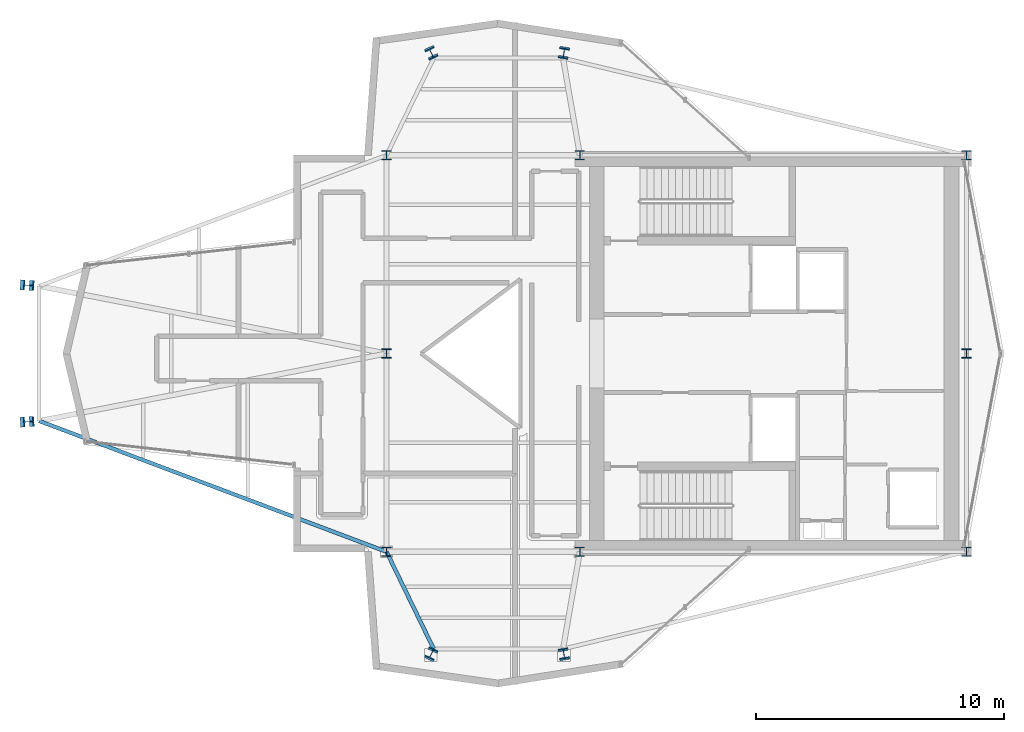
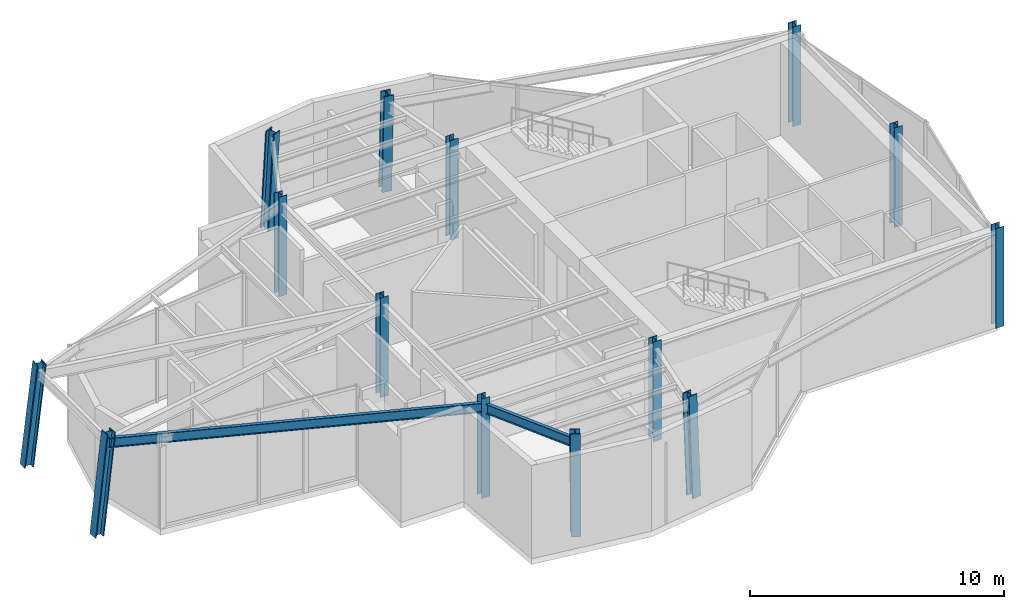
# One storey, part 1 of 11: 14 columns, 2 beams.
"""IFC4 building model written with IfcOpenShell, lengths in metres."""

from ifc_helpers import new_model, si_unit, direction, frame, origin, origin_2d, place, context, subcontext, project, spatial, i_section, extrude, material, material_profile, profile_set, type_object, element, save


model = new_model("IFC4")

# Units and contexts
model_context = context("Model", 3, precision=1e-05, world=origin(), true_north=direction((0.0, 1.0)))
body_context = subcontext(model_context, "Body", "Model", "MODEL_VIEW")
ifc_project = project(units=[si_unit("LENGTHUNIT", "METRE"), si_unit("AREAUNIT", "SQUARE_METRE"), si_unit("VOLUMEUNIT", "CUBIC_METRE"), si_unit("PLANEANGLEUNIT", "RADIAN"), si_unit("MASSUNIT", "GRAM", prefix="KILO")], contexts=[model_context])

# Site, building, storey
site_placement = place(None, origin())
site = spatial("IfcSite", under=ifc_project, at=site_placement, CompositionType="ELEMENT")
building_placement = place(site_placement, origin())
building = spatial("IfcBuilding", under=site, at=building_placement, Name="Veymaron Broadcast Tower", CompositionType="ELEMENT")
storey_placement = place(building_placement, frame((0.0, 0.0, 327.60009765625)))
storey = spatial("IfcBuildingStorey", under=building, at=storey_placement, Name="L77", CompositionType="ELEMENT", Elevation=327.60009765625)

# Columns
ifc_material_1 = material(Name="Structural steel ASTM A992 Gr 50", Category="steel")
ifc_material_profile_1 = material_profile(ifc_material_1, i_section(OverallWidth=0.373046875, OverallDepth=0.367919921875, WebThickness=0.014892578125, FlangeThickness=0.02392578125, at=origin_2d()), Name="W360X179")
ifc_profile_set_1 = profile_set([ifc_material_profile_1], Name="Structural steel ASTM A992 Gr 50")
column_type_1 = type_object("IfcColumnType", Name="COL-HC4", PredefinedType="COLUMN", material=ifc_profile_set_1)
for number, where, z_axis, x_axis, name in (
    (1, (31.199951171875, 16.0, 0.0), (0.0, 0.0, 1.0), (1.0, 0.0, 0.0), "L77 structural hub and core column"),
    (2, (31.199951171875, 24.0, 0.0), (0.0, 0.0, 1.0), (1.0, 0.0, 0.0), "L77 structural hub and core column"),
    (3, (31.199951171875, 32.0, 0.0), (0.0, 0.0, 1.0), (1.0, 0.0, 0.0), "L77 structural hub and core column"),
    (4, (39.0, 16.0, 0.0), (0.0, 0.0, 1.0), (1.0, 0.0, 0.0), "L77 structural hub and core column"),
    (5, (39.0, 32.0, 0.0), (0.0, 0.0, 1.0), (1.0, 0.0, 0.0), "L77 structural hub and core column"),
    (6, (54.60009765625, 16.0, 0.0), (0.0, 0.0, 1.0), (1.0, 0.0, 0.0), "L77 structural hub and core column"),
    (7, (54.60009765625, 24.0, 0.0), (0.0, 0.0, 1.0), (1.0, 0.0, 0.0), "L77 structural hub and core column"),
    (8, (54.60009765625, 32.0, 0.0), (0.0, 0.0, 1.0), (1.0, 0.0, 0.0), "L77 structural hub and core column"),
):
    element("IfcColumn", number, at=place(storey_placement, frame(where, z_axis=z_axis, x_axis=x_axis)), inside=storey, type_object=column_type_1, Name=name, PredefinedType="COLUMN", context=body_context, shape_type="SweptSolid", body=[
        extrude(i_section(OverallWidth=0.373046875, OverallDepth=0.367919921875, WebThickness=0.014892578125, FlangeThickness=0.02392578125, at=origin_2d()), origin(), (0.0, 0.0, 1.0), 4.7939453125),
    ])
ifc_material_2 = material(Name="Structural steel ASTM A913 Gr 65", Category="steel")
ifc_material_profile_2 = material_profile(ifc_material_2, i_section(OverallWidth=0.406005859375, OverallDepth=0.416015625, WebThickness=0.02978515625, FlangeThickness=0.048095703125, at=origin_2d()), Name="W360X382")
ifc_profile_set_2 = profile_set([ifc_material_profile_2], Name="Structural steel ASTM A913 Gr 65")
column_type_2 = type_object("IfcColumnType", Name="COL-MC4", PredefinedType="COLUMN", material=ifc_profile_set_2)
for number, where, z_axis, x_axis, name in (
    (9, (16.632080078125, 21.239990234375, 0.015869140625), (0.114998493926, 0.008341332598, 0.993330644129), (-0.072344217059, 0.997379724206, 0.0), "L77 Tapered Wing Mega Column"),
    (10, (16.632080078125, 26.760009765625, 0.015869140625), (0.114998493926, -0.008341332598, 0.993330644129), (0.072344217059, 0.997379724206, 0.0), "L77 Tapered Wing Mega Column"),
):
    element("IfcColumn", number, at=place(storey_placement, frame(where, z_axis=z_axis, x_axis=x_axis)), inside=storey, type_object=column_type_2, Name=name, PredefinedType="COLUMN", context=body_context, shape_type="SweptSolid", body=[
        extrude(i_section(OverallWidth=0.406005859375, OverallDepth=0.416015625, WebThickness=0.02978515625, FlangeThickness=0.048095703125, at=origin_2d()), origin(), (0.0, 0.0, 1.0), 4.800048828125),
    ])
column_1_placement = place(storey_placement, frame((32.991943359375, 36.159912109375, 0.015869140625), z_axis=(0.02346612672, -0.050255343281, 0.99846068594), x_axis=(0.906088923183, 0.423087299838, 0.0)))
element("IfcColumn", 11, at=column_1_placement, inside=storey, type_object=column_type_2, Name="L77 Tapered Wing Mega Column", PredefinedType="COLUMN", context=body_context, shape_type="SweptSolid", body=[
    extrude(i_section(OverallWidth=0.406005859375, OverallDepth=0.416015625, WebThickness=0.02978515625, FlangeThickness=0.048095703125, at=origin_2d()), origin(), (0.0, 0.0, 1.0), 4.775390625),
])
column_2_placement = place(storey_placement, frame((38.360107421875, 36.159912109375, 0.015869140625), z_axis=(-0.008386425787, -0.050267417979, 0.998700583034), x_axis=(0.986366790816, -0.164561702639, 0.0)))
element("IfcColumn", 12, at=column_2_placement, inside=storey, type_object=column_type_2, Name="L77 Tapered Wing Mega Column", PredefinedType="COLUMN", context=body_context, shape_type="SweptSolid", body=[
    extrude(i_section(OverallWidth=0.406005859375, OverallDepth=0.416015625, WebThickness=0.02978515625, FlangeThickness=0.048095703125, at=origin_2d()), origin(), (0.0, 0.0, 1.0), 4.774169921875),
])
column_3_placement = place(storey_placement, frame((32.991943359375, 11.840087890625, 0.015869140625), z_axis=(0.02346612672, 0.050255343281, 0.99846068594), x_axis=(-0.906088923183, 0.423087299838, 0.0)))
element("IfcColumn", 13, at=column_3_placement, inside=storey, type_object=column_type_2, Name="L77 Tapered Wing Mega Column", PredefinedType="COLUMN", context=body_context, shape_type="SweptSolid", body=[
    extrude(i_section(OverallWidth=0.406005859375, OverallDepth=0.416015625, WebThickness=0.02978515625, FlangeThickness=0.048095703125, at=origin_2d()), origin(), (0.0, 0.0, 1.0), 4.775390625),
])
column_4_placement = place(storey_placement, frame((38.360107421875, 11.840087890625, 0.015869140625), z_axis=(-0.008386425787, 0.050267417979, 0.998700583034), x_axis=(-0.986366790816, -0.164561702639, 0.0)))
element("IfcColumn", 14, at=column_4_placement, inside=storey, type_object=column_type_2, Name="L77 Tapered Wing Mega Column", PredefinedType="COLUMN", context=body_context, shape_type="SweptSolid", body=[
    extrude(i_section(OverallWidth=0.406005859375, OverallDepth=0.416015625, WebThickness=0.02978515625, FlangeThickness=0.048095703125, at=origin_2d()), origin(), (0.0, 0.0, 1.0), 4.774169921875),
])

# Beams
ifc_material_profile_3 = material_profile(ifc_material_1, i_section(OverallWidth=0.154052734375, OverallDepth=0.458984375, WebThickness=0.009033203125, FlangeThickness=0.015380859375, at=origin_2d()), Name="W460X68")
ifc_profile_set_3 = profile_set([ifc_material_profile_3], Name="Structural steel ASTM A992 Gr 50")
beam_type = type_object("IfcBeamType", Name="BM-SP2", PredefinedType="SPANDREL", material=ifc_profile_set_3)
beam_1_placement = place(storey_placement, frame((17.18408203125, 21.280029296875, 4.25048828125), z_axis=(0.935799576277, -0.352532485083, 0.0), x_axis=(0.352532485083, 0.935799576277, 0.0)))
element("IfcBeam", 15, at=beam_1_placement, inside=storey, type_object=beam_type, Name="L77 primary structural floor girder", PredefinedType="SPANDREL", context=body_context, shape_type="SweptSolid", body=[
    extrude(i_section(OverallWidth=0.154052734375, OverallDepth=0.458984375, WebThickness=0.009033203125, FlangeThickness=0.015380859375, at=origin_2d()), origin(), (0.0, 0.0, 1.0), 14.9775390625),
])
beam_2_placement = place(storey_placement, frame((31.199951171875, 16.0, 4.25048828125), z_axis=(0.436920799064, -0.899499980737, 0.0), x_axis=(0.899499980737, 0.436920799064, 0.0)))
element("IfcBeam", 16, at=beam_2_placement, inside=storey, type_object=beam_type, Name="L77 primary structural floor girder", PredefinedType="SPANDREL", context=body_context, shape_type="SweptSolid", body=[
    extrude(i_section(OverallWidth=0.154052734375, OverallDepth=0.458984375, WebThickness=0.009033203125, FlangeThickness=0.015380859375, at=origin_2d()), origin(), (0.0, 0.0, 1.0), 4.35791015625),
])

save(model, "model.ifc")
